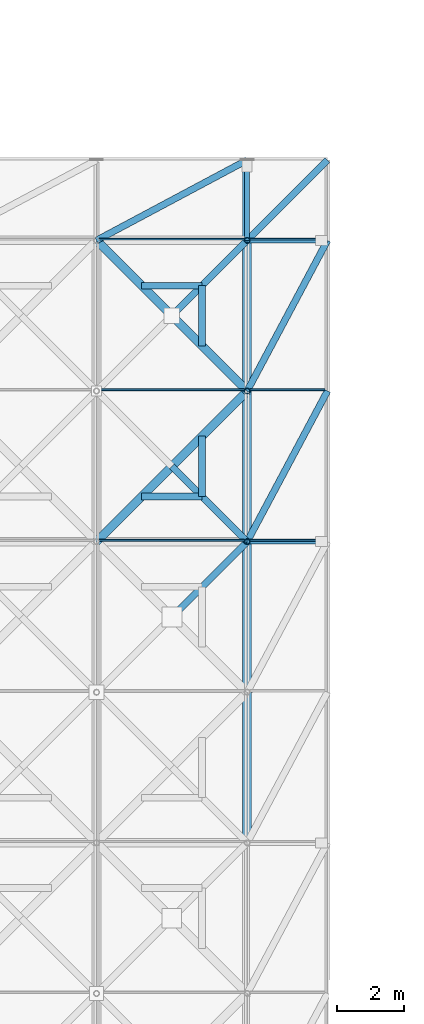
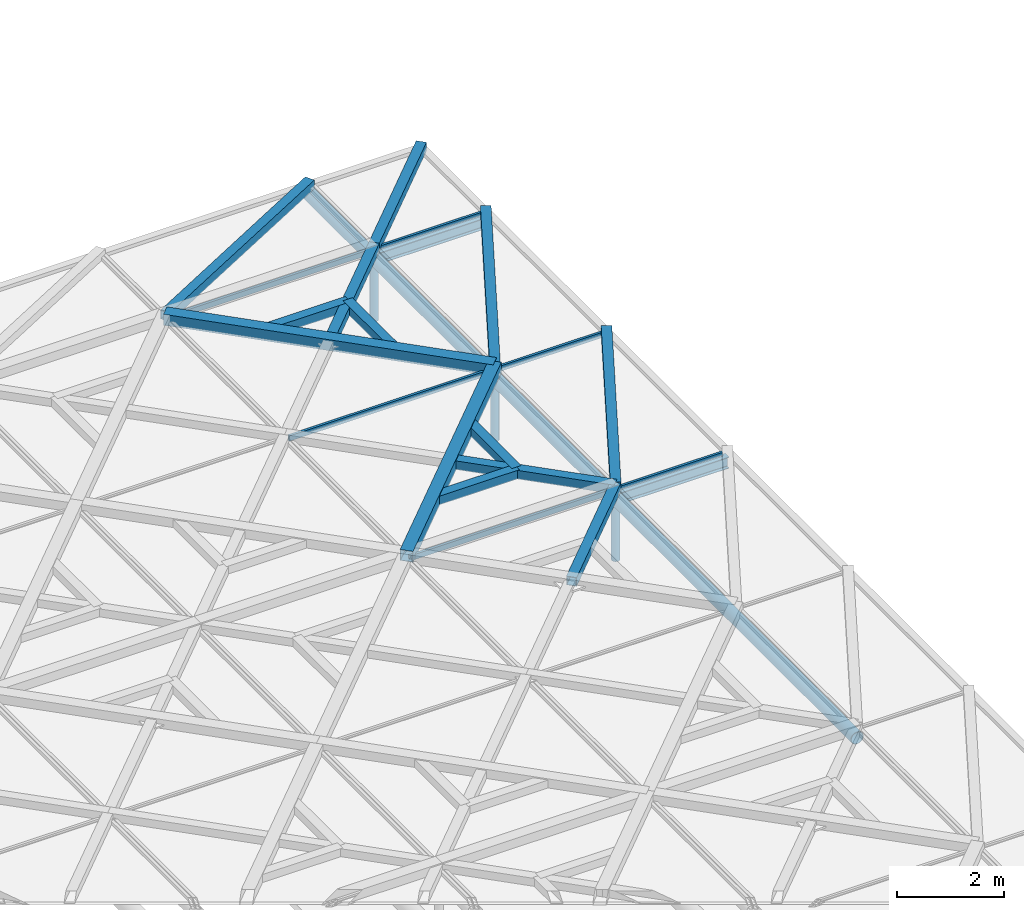
# One storey, part 61 of 80: 23 members, 3 beams, 2 elements without a shape of their own.
"""IFC4 building model written with IfcOpenShell, lengths in metres."""

from ifc_helpers import new_model, si_unit, direction, frame, origin, origin_2d, place, context, subcontext, project, spatial, rectangle, hollow_rectangle, hollow_circle, i_section, extrude, material, material_profile, profile_set, type_object, element, aggregate, save


model = new_model("IFC4")

# Units and contexts
model_context = context("Model", 3, precision=1e-05, world=origin(), true_north=direction((0.0, 1.0)))
body_context = subcontext(model_context, "Body", "Model", "MODEL_VIEW")
ifc_project = project(units=[si_unit("LENGTHUNIT", "METRE"), si_unit("AREAUNIT", "SQUARE_METRE"), si_unit("VOLUMEUNIT", "CUBIC_METRE"), si_unit("PLANEANGLEUNIT", "RADIAN"), si_unit("MASSUNIT", "GRAM", prefix="KILO"), si_unit("THERMODYNAMICTEMPERATUREUNIT", "KELVIN"), si_unit("POWERUNIT", "WATT")], contexts=[model_context])

# Site, building, storey
site_placement = place(None, origin())
site = spatial("IfcSite", under=ifc_project, at=site_placement, CompositionType="ELEMENT")
building_placement = place(site_placement, origin())
building = spatial("IfcBuilding", under=site, at=building_placement, Name="Tallowbark Science Centre", CompositionType="ELEMENT")
storey_placement = place(building_placement, frame((0.0, 0.0, 25.949951171875)))
storey = spatial("IfcBuildingStorey", under=building, at=storey_placement, Name="ROOF", CompositionType="ELEMENT", Elevation=25.949951171875)

# Beams
ifc_material_1 = material(Name="White Architectural Painted Steel Grade C350L0 (350 MPa)", Category="steel")
ifc_material_profile_1 = material_profile(ifc_material_1, i_section(OverallWidth=0.146484375, OverallDepth=0.256103515625, WebThickness=0.00634765625, FlangeThickness=0.010986328125, FilletRadius=0.0087890625, at=origin_2d()), Name="250UB37.3")
ifc_profile_set_1 = profile_set([ifc_material_profile_1], Name="White Architectural Painted Steel Grade C350L0 (350 MPa)")
beam_type = type_object("IfcBeamType", Name="BM-OUT250", PredefinedType="BEAM", material=ifc_profile_set_1)
for number, where, z_axis, x_axis, name in (
    (1, (103.5, 40.5, 0.199951171875), (0.0, 1.0, 0.0), (-1.0, 0.0, 0.0), "Star Screen Outrigger Tie Beam N-112"),
    (2, (103.5, 31.5, 0.199951171875), (1.0, 0.0, 0.0), (0.0, 1.0, 0.0), "Star Screen Outrigger Tie Beam E-120"),
    (3, (103.5, 40.5, 0.199951171875), (1.0, 0.0, 0.0), (0.0, 1.0, 0.0), "Star Screen Outrigger Tie Beam E-122"),
):
    element("IfcBeam", number, at=place(storey_placement, frame(where, z_axis=z_axis, x_axis=x_axis)), inside=storey, type_object=beam_type, Name=name, PredefinedType="BEAM", context=body_context, shape_type="SweptSolid", body=[
        extrude(i_section(OverallWidth=0.146484375, OverallDepth=0.256103515625, WebThickness=0.00634765625, FlangeThickness=0.010986328125, FilletRadius=0.0087890625, at=origin_2d()), origin(), (0.0, 0.0, 1.0), 2.39990234375),
    ])

# Curtain wall, members
ifc_material_2 = material(Name="Blue-Tinted Laminated Low-E Skylight Glass", Category="glass")
curtain_wall_type = type_object("IfcCurtainWallType", Name="CW-SKY-ROOF", PredefinedType="NOTDEFINED", material=ifc_material_2)
curtain_wall_1_placement = place(storey_placement, origin())
curtain_wall_1 = element("IfcCurtainWall", 4, at=curtain_wall_1_placement, inside=storey, type_object=curtain_wall_type, Name="Exhibition Star-Screen Skylight Bay 11", PredefinedType="NOTDEFINED")
ifc_material_3 = material(Name="Anodised Architectural Aluminium Alloy 6063-T6", Category="aluminium")
ifc_material_profile_2 = material_profile(ifc_material_3, rectangle(XDim=0.054931640625, YDim=0.1201171875, at=origin_2d()), Name="ALU55x120")
ifc_profile_set_2 = profile_set([ifc_material_profile_2], Name="Anodised Architectural Aluminium Alloy 6063-T6")
member_type_1 = type_object("IfcMemberType", Name="CWM-SKY-TRN", PredefinedType="USERDEFINED", material=ifc_profile_set_2)
member_1_placement = place(storey_placement, frame((99.080078125, 31.5400390625, 0.35205078125), z_axis=(1.0, 0.0, 0.0), x_axis=(0.0, 1.0, 0.0)))
member_1 = element("IfcMember", 5, at=member_1_placement, type_object=member_type_1, Name="Skylight Bay 11 Transom 8", ObjectType="TRANSOM", PredefinedType="USERDEFINED", context=body_context, shape_type="SweptSolid", body=[
    extrude(rectangle(XDim=0.054931640625, YDim=0.1201171875, at=origin_2d()), origin(), (0.0, 0.0, 1.0), 4.33984375),
])
member_2_placement = place(storey_placement, frame((99.080078125, 36.0400390625, 0.35205078125), z_axis=(1.0, 0.0, 0.0), x_axis=(0.0, 1.0, 0.0)))
member_2 = element("IfcMember", 6, at=member_2_placement, type_object=member_type_1, Name="Skylight Bay 11 Transom 9", ObjectType="TRANSOM", PredefinedType="USERDEFINED", context=body_context, shape_type="SweptSolid", body=[
    extrude(rectangle(XDim=0.054931640625, YDim=0.1201171875, at=origin_2d()), origin(), (0.0, 0.0, 1.0), 4.33984375),
])
member_3_placement = place(storey_placement, frame((99.080078125, 40.5400390625, 0.35205078125), z_axis=(1.0, 0.0, 0.0), x_axis=(0.0, 1.0, 0.0)))
member_3 = element("IfcMember", 7, at=member_3_placement, type_object=member_type_1, Name="Skylight Bay 11 Transom 10", ObjectType="TRANSOM", PredefinedType="USERDEFINED", context=body_context, shape_type="SweptSolid", body=[
    extrude(rectangle(XDim=0.054931640625, YDim=0.1201171875, at=origin_2d()), origin(), (0.0, 0.0, 1.0), 4.33984375),
])
aggregate(curtain_wall_1, [member_1, member_2, member_3])

curtain_wall_2_placement = place(storey_placement, origin())
curtain_wall_2 = element("IfcCurtainWall", 8, at=curtain_wall_2_placement, inside=storey, type_object=curtain_wall_type, Name="Exhibition Star-Screen Skylight Bay 12", PredefinedType="NOTDEFINED")
member_4_placement = place(storey_placement, frame((103.580078125, 31.5400390625, 0.35205078125), z_axis=(1.0, 0.0, 0.0), x_axis=(0.0, 1.0, 0.0)))
member_4 = element("IfcMember", 9, at=member_4_placement, type_object=member_type_1, Name="Skylight Bay 12 Transom 8", ObjectType="TRANSOM", PredefinedType="USERDEFINED", context=body_context, shape_type="SweptSolid", body=[
    extrude(rectangle(XDim=0.054931640625, YDim=0.1201171875, at=origin_2d()), origin(), (0.0, 0.0, 1.0), 2.239990234375),
])
member_5_placement = place(storey_placement, frame((103.580078125, 36.0400390625, 0.35205078125), z_axis=(1.0, 0.0, 0.0), x_axis=(0.0, 1.0, 0.0)))
member_5 = element("IfcMember", 10, at=member_5_placement, type_object=member_type_1, Name="Skylight Bay 12 Transom 9", ObjectType="TRANSOM", PredefinedType="USERDEFINED", context=body_context, shape_type="SweptSolid", body=[
    extrude(rectangle(XDim=0.054931640625, YDim=0.1201171875, at=origin_2d()), origin(), (0.0, 0.0, 1.0), 2.239990234375),
])
member_6_placement = place(storey_placement, frame((103.580078125, 40.5400390625, 0.35205078125), z_axis=(1.0, 0.0, 0.0), x_axis=(0.0, 1.0, 0.0)))
member_6 = element("IfcMember", 11, at=member_6_placement, type_object=member_type_1, Name="Skylight Bay 12 Transom 10", ObjectType="TRANSOM", PredefinedType="USERDEFINED", context=body_context, shape_type="SweptSolid", body=[
    extrude(rectangle(XDim=0.054931640625, YDim=0.1201171875, at=origin_2d()), origin(), (0.0, 0.0, 1.0), 2.239990234375),
])
aggregate(curtain_wall_2, [member_4, member_5, member_6])

# Members
ifc_material_profile_3 = material_profile(ifc_material_1, hollow_rectangle(XDim=0.25, YDim=0.25, WallThickness=0.009033203125, at=origin_2d()), Name="250x250x9.0SHS")
ifc_profile_set_3 = profile_set([ifc_material_profile_3], Name="White Architectural Painted Steel Grade C350L0 (350 MPa)")
member_type_2 = type_object("IfcMemberType", Name="SCR-CHD200", PredefinedType="CHORD", material=ifc_profile_set_3)
for number, where, z_axis, x_axis, name in (
    (12, (99.0, 31.5, 0.449951171875), (0.707106781187, 0.707106781187, 0.0), (-0.707106781187, 0.707106781187, 0.0), "Star Screen Octagram Diamond Chord TOP-73-1"),
    (13, (103.5, 36.0, 0.449951171875), (-0.707106781187, 0.707106781187, 0.0), (-0.707106781187, -0.707106781187, 0.0), "Star Screen Octagram Diamond Chord TOP-73-2"),
):
    element("IfcMember", number, at=place(storey_placement, frame(where, z_axis=z_axis, x_axis=x_axis)), inside=storey, type_object=member_type_2, Name=name, PredefinedType="CHORD", context=body_context, shape_type="SweptSolid", body=[
        extrude(hollow_rectangle(XDim=0.25, YDim=0.25, WallThickness=0.009033203125, at=origin_2d()), origin(), (0.0, 0.0, 1.0), 6.364013671875),
    ])
ifc_material_profile_4 = material_profile(ifc_material_1, hollow_rectangle(XDim=0.199951171875, YDim=0.199951171875, WallThickness=0.009033203125, at=origin_2d()), Name="200x200x9.0SHS")
ifc_profile_set_4 = profile_set([ifc_material_profile_4], Name="White Architectural Painted Steel Grade C350L0 (350 MPa)")
member_type_3 = type_object("IfcMemberType", Name="SCR-STAR139", PredefinedType="BRACE", material=ifc_profile_set_4)
for number, where, z_axis, x_axis, name in (
    (14, (101.25, 29.25, 0.449951171875), (0.707106781187, 0.707106781187, 0.0), (-0.707106781187, 0.707106781187, 0.0), "Star Screen Continuous X-Diagonal D1B TOP-72"),
    (15, (101.25, 38.25, 0.449951171875), (0.707106781187, 0.707106781187, 0.0), (-0.707106781187, 0.707106781187, 0.0), "Star Screen Continuous X-Diagonal D1B TOP-73"),
    (16, (101.25, 33.75, 0.449951171875), (0.707106781187, -0.707106781187, 0.0), (0.707106781187, 0.707106781187, 0.0), "Star Screen Split X-Diagonal D2D TOP-73"),
):
    element("IfcMember", number, at=place(storey_placement, frame(where, z_axis=z_axis, x_axis=x_axis)), inside=storey, type_object=member_type_3, Name=name, PredefinedType="BRACE", context=body_context, shape_type="SweptSolid", body=[
        extrude(hollow_rectangle(XDim=0.199951171875, YDim=0.199951171875, WallThickness=0.009033203125, at=origin_2d()), origin(), (0.0, 0.0, 1.0), 3.181884765625),
    ])
for number, where, z_axis, x_axis, name in (
    (17, (99.0, 40.5, 0.449951171875), (0.882360891967, 0.470573327259, 0.0), (-0.470573327259, 0.882360891967, 0.0), "Top Perimeter Gap Star Diagonal 11-10"),
    (18, (103.5, 31.5, 0.449951171875), (0.470573327259, 0.882360891967, 0.0), (-0.882360891967, 0.470573327259, 0.0), "Top Perimeter Gap Star Diagonal 12-8"),
    (19, (103.5, 36.0, 0.449951171875), (0.470573327259, 0.882360891967, 0.0), (-0.882360891967, 0.470573327259, 0.0), "Top Perimeter Gap Star Diagonal 12-9"),
):
    element("IfcMember", number, at=place(storey_placement, frame(where, z_axis=z_axis, x_axis=x_axis)), inside=storey, type_object=member_type_3, Name=name, PredefinedType="BRACE", context=body_context, shape_type="SweptSolid", body=[
        extrude(hollow_rectangle(XDim=0.199951171875, YDim=0.199951171875, WallThickness=0.009033203125, at=origin_2d()), origin(), (0.0, 0.0, 1.0), 5.099853515625),
    ])
member_7_placement = place(storey_placement, frame((103.5, 40.5, 0.449951171875), z_axis=(0.707106781187, 0.707106781187, 0.0), x_axis=(-0.707106781187, 0.707106781187, 0.0)))
element("IfcMember", 20, at=member_7_placement, inside=storey, type_object=member_type_3, Name="Top Perimeter Gap Star Diagonal 12-10", PredefinedType="BRACE", context=body_context, shape_type="SweptSolid", body=[
    extrude(hollow_rectangle(XDim=0.199951171875, YDim=0.199951171875, WallThickness=0.009033203125, at=origin_2d()), origin(), (0.0, 0.0, 1.0), 3.39404296875),
])
ifc_material_profile_5 = material_profile(ifc_material_1, hollow_rectangle(XDim=0.199951171875, YDim=0.199951171875, WallThickness=0.009033203125, at=origin_2d()), Name="200x200x9.0SHS")
ifc_profile_set_5 = profile_set([ifc_material_profile_5], Name="White Architectural Painted Steel Grade C350L0 (350 MPa)")
member_type_4 = type_object("IfcMemberType", Name="SCR-SUB150", PredefinedType="BRACE", material=ifc_profile_set_5)
for number, where, z_axis, x_axis, name in (
    (21, (102.14990234375, 32.85009765625, 0.449951171875), (-1.0, 0.0, 0.0), (0.0, -1.0, 0.0), "Star Screen Octagram Point Ray TOP-73-3"),
    (22, (102.14990234375, 32.85009765625, 0.449951171875), (0.0, 1.0, 0.0), (-1.0, 0.0, 0.0), "Star Screen Octagram Point Ray TOP-73-4"),
    (23, (102.14990234375, 39.14990234375, 0.449951171875), (-1.0, 0.0, 0.0), (0.0, -1.0, 0.0), "Star Screen Octagram Point Ray TOP-73-5"),
    (24, (102.14990234375, 39.14990234375, 0.449951171875), (0.0, -1.0, 0.0), (1.0, 0.0, 0.0), "Star Screen Octagram Point Ray TOP-73-6"),
):
    element("IfcMember", number, at=place(storey_placement, frame(where, z_axis=z_axis, x_axis=x_axis)), inside=storey, type_object=member_type_4, Name=name, PredefinedType="BRACE", context=body_context, shape_type="SweptSolid", body=[
        extrude(hollow_rectangle(XDim=0.199951171875, YDim=0.199951171875, WallThickness=0.009033203125, at=origin_2d()), origin(), (0.0, 0.0, 1.0), 1.7998046875),
    ])
ifc_material_profile_6 = material_profile(ifc_material_1, hollow_circle(Radius=0.136474609375, WallThickness=0.00927734375, at=origin_2d()), Name="273.1x9.3CHS")
ifc_profile_set_6 = profile_set([ifc_material_profile_6], Name="White Architectural Painted Steel Grade C350L0 (350 MPa)")
member_type_5 = type_object("IfcMemberType", Name="TR-CHD273", PredefinedType="CHORD", material=ifc_profile_set_6)
member_8_placement = place(storey_placement, frame((103.5, 22.5, 0.18994140625), z_axis=(0.0, 1.0, 0.0), x_axis=(-1.0, 0.0, 0.0)))
element("IfcMember", 25, at=member_8_placement, inside=storey, type_object=member_type_5, Name="Exhibition Roof Truss North Top Chord 11", PredefinedType="CHORD", context=body_context, shape_type="SweptSolid", body=[
    extrude(hollow_circle(Radius=0.136474609375, WallThickness=0.00927734375, at=origin_2d()), origin(), (0.0, 0.0, 1.0), 20.39990234375),
])
ifc_material_profile_7 = material_profile(ifc_material_1, hollow_circle(Radius=0.084228515625, WallThickness=0.007080078125, at=origin_2d()), Name="168.3x7.1CHS")
ifc_profile_set_7 = profile_set([ifc_material_profile_7], Name="White Architectural Painted Steel Grade C350L0 (350 MPa)")
member_type_6 = type_object("IfcMemberType", Name="TR-WEB168", PredefinedType="BRACE", material=ifc_profile_set_7)
for number, where, z_axis, x_axis, name in (
    (26, (103.5, 31.5, -1.199951171875), (0.0, 0.0, 1.0), (1.0, 0.0, 0.0), "Exhibition Roof Truss Web 11-31.5"),
    (27, (103.5, 36.0, -1.199951171875), (0.0, 0.0, 1.0), (1.0, 0.0, 0.0), "Exhibition Roof Truss Web 11-36"),
    (28, (103.5, 40.5, -1.199951171875), (0.0, 0.0, 1.0), (1.0, 0.0, 0.0), "Exhibition Roof Truss Web 11-40.5"),
):
    element("IfcMember", number, at=place(storey_placement, frame(where, z_axis=z_axis, x_axis=x_axis)), inside=storey, type_object=member_type_6, Name=name, PredefinedType="BRACE", context=body_context, shape_type="SweptSolid", body=[
        extrude(hollow_circle(Radius=0.084228515625, WallThickness=0.007080078125, at=origin_2d()), origin(), (0.0, 0.0, 1.0), 1.389892578125),
    ])

save(model, "model.ifc")
